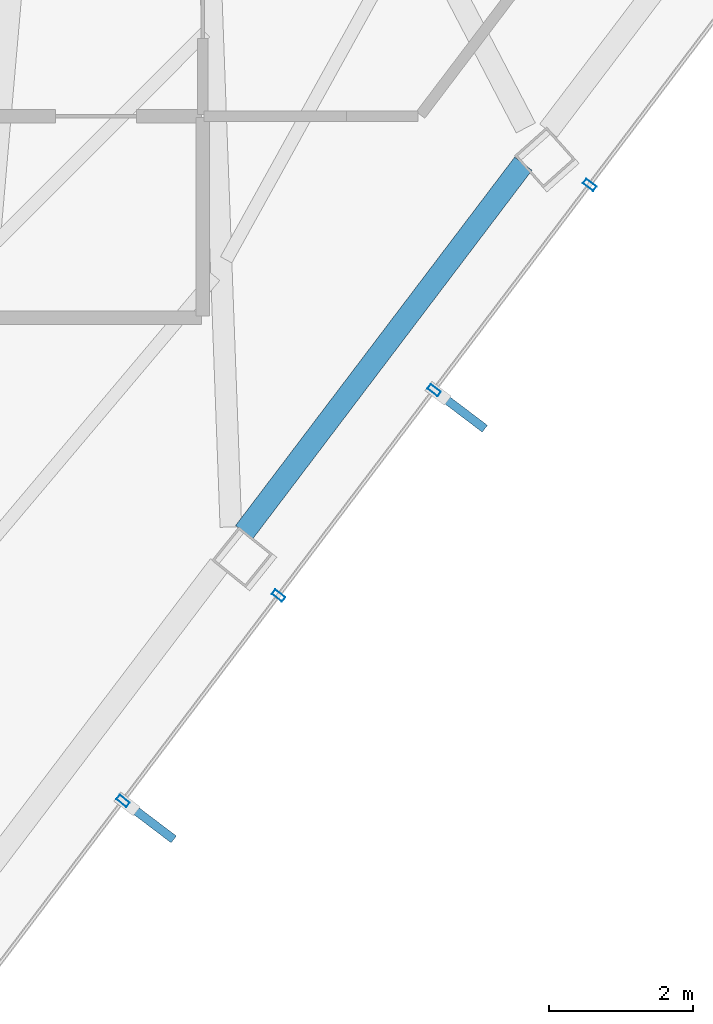
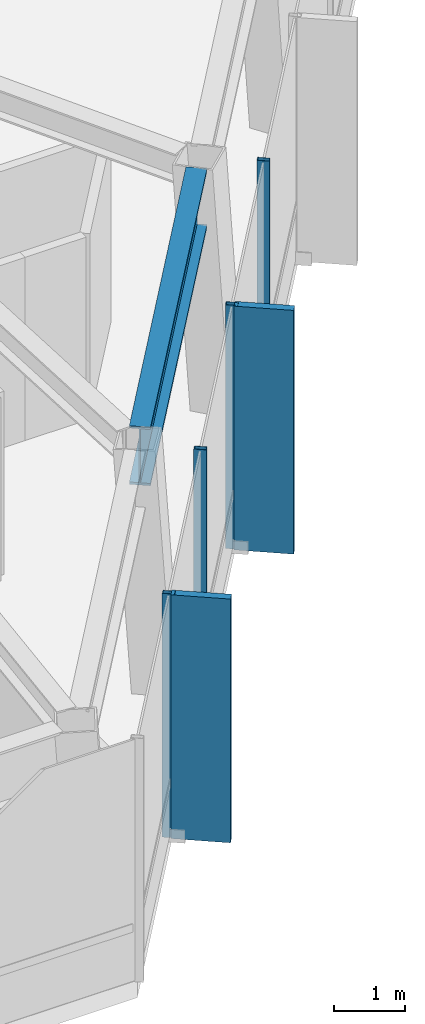
# One storey, part 12 of 22: 6 members, 1 beam, 1 element without a shape of its own.
"""IFC4 building model written with IfcOpenShell, lengths in metres."""

from ifc_helpers import new_model, si_unit, direction, frame, origin, origin_2d, place, context, subcontext, project, spatial, rectangle, hollow_rectangle, i_section, extrude, material, layer, layer_set, material_profile, profile_set, type_object, element, aggregate, save


model = new_model("IFC4")

# Units and contexts
model_context = context("Model", 3, precision=1e-05, world=origin(), true_north=direction((0.0, 1.0)))
body_context = subcontext(model_context, "Body", "Model", "MODEL_VIEW")
ifc_project = project(units=[si_unit("LENGTHUNIT", "METRE"), si_unit("AREAUNIT", "SQUARE_METRE"), si_unit("VOLUMEUNIT", "CUBIC_METRE"), si_unit("PLANEANGLEUNIT", "RADIAN"), si_unit("MASSUNIT", "GRAM", prefix="KILO")], contexts=[model_context])

# Site, building, storey
site_placement = place(None, origin())
site = spatial("IfcSite", under=ifc_project, at=site_placement, CompositionType="ELEMENT")
building_placement = place(site_placement, origin())
building = spatial("IfcBuilding", under=site, at=building_placement, Name="Zarrinselat Tower", CompositionType="ELEMENT")
storey_placement = place(building_placement, frame((0.0, 0.0, 204.340087890625)))
storey = spatial("IfcBuildingStorey", under=building, at=storey_placement, Name="L50", CompositionType="ELEMENT", Elevation=204.340087890625)

# Beam
ifc_material_1 = material(Name="Steel S460M", Category="steel")
ifc_material_profile_1 = material_profile(ifc_material_1, i_section(OverallWidth=0.302001953125, OverallDepth=1.008056640625, WebThickness=0.02099609375, FlangeThickness=0.0400390625, at=origin_2d()), Name="HEM 1000")
ifc_profile_set_1 = profile_set([ifc_material_profile_1], Name="Steel S460M")
beam_type = type_object("IfcBeamType", Name="BM-HEM1000", PredefinedType="BEAM", material=ifc_profile_set_1)
beam_placement = place(storey_placement, frame((48.926513671875, 24.369384765625, 3.69580078125), z_axis=(0.603860615044, 0.797089930684, 0.0), x_axis=(-0.797089930684, 0.603860615044, 0.0)))
element("IfcBeam", 1, at=beam_placement, inside=storey, type_object=beam_type, Name="L50 Perimeter Spandrel Girder SP12", PredefinedType="BEAM", context=body_context, shape_type="SweptSolid", body=[
    extrude(i_section(OverallWidth=0.302001953125, OverallDepth=1.008056640625, WebThickness=0.02099609375, FlangeThickness=0.0400390625, at=origin_2d()), origin(), (0.0, 0.0, 1.0), 6.423583984375),
])

# Curtain wall, members
ifc_material_2 = material(Name="Extruded Aluminium Alloy EN AW-6063 T6", Category="aluminium")
ifc_layer = layer(ifc_material_2, 0.195068359375)
ifc_layer_set = layer_set([ifc_layer], Name="Extruded Aluminium Alloy EN AW-6063 T6")
curtain_wall_type = type_object("IfcCurtainWallType", Name="CWS-GDN", PredefinedType="NOTDEFINED", material=ifc_layer_set)
curtain_wall_placement = place(storey_placement, origin())
curtain_wall = element("IfcCurtainWall", 2, at=curtain_wall_placement, inside=storey, type_object=curtain_wall_type, Name="L50 Unitised Curtain Wall CW-L50-E04", PredefinedType="NOTDEFINED")
ifc_material_3 = material(Name="Extruded Aluminium Alloy EN AW-6063 T6", Category="aluminium")
ifc_material_profile_2 = material_profile(ifc_material_3, hollow_rectangle(XDim=0.080078125, YDim=0.179931640625, WallThickness=0.0048828125, at=origin_2d()), Name="RHS 180x80x5")
ifc_profile_set_2 = profile_set([ifc_material_profile_2], Name="Extruded Aluminium Alloy EN AW-6063 T6")
member_type_1 = type_object("IfcMemberType", Name="MEM-CW-MUL", PredefinedType="MULLION", material=ifc_profile_set_2)
member_1_placement = place(storey_placement, frame((53.72705078125, 29.194091796875, 0.0), z_axis=(0.0, 0.0, 1.0), x_axis=(-0.603858158606, -0.79709179163, 0.0)))
member_1 = element("IfcMember", 3, at=member_1_placement, type_object=member_type_1, Name="CW-L50-E04 Mullion 4", PredefinedType="MULLION", context=body_context, shape_type="SweptSolid", body=[
    extrude(hollow_rectangle(XDim=0.080078125, YDim=0.179931640625, WallThickness=0.0048828125, at=origin_2d()), origin(), (0.0, 0.0, 1.0), 4.199951171875),
])
member_2_placement = place(storey_placement, frame((51.5654296875, 26.3408203125, 0.0), z_axis=(0.0, 0.0, 1.0), x_axis=(-0.603858158606, -0.79709179163, 0.0)))
member_2 = element("IfcMember", 4, at=member_2_placement, type_object=member_type_1, Name="CW-L50-E04 Mullion 5", PredefinedType="MULLION", context=body_context, shape_type="SweptSolid", body=[
    extrude(hollow_rectangle(XDim=0.080078125, YDim=0.179931640625, WallThickness=0.0048828125, at=origin_2d()), origin(), (0.0, 0.0, 1.0), 4.199951171875),
])
member_3_placement = place(storey_placement, frame((49.40380859375, 23.4873046875, 0.0), z_axis=(0.0, 0.0, 1.0), x_axis=(-0.603858158606, -0.79709179163, 0.0)))
member_3 = element("IfcMember", 5, at=member_3_placement, type_object=member_type_1, Name="CW-L50-E04 Mullion 6", PredefinedType="MULLION", context=body_context, shape_type="SweptSolid", body=[
    extrude(hollow_rectangle(XDim=0.080078125, YDim=0.179931640625, WallThickness=0.0048828125, at=origin_2d()), origin(), (0.0, 0.0, 1.0), 4.199951171875),
])
member_4_placement = place(storey_placement, frame((47.2421875, 20.634033203125, 0.0), z_axis=(0.0, 0.0, 1.0), x_axis=(-0.603858158606, -0.79709179163, 0.0)))
member_4 = element("IfcMember", 6, at=member_4_placement, type_object=member_type_1, Name="CW-L50-E04 Mullion 7", PredefinedType="MULLION", context=body_context, shape_type="SweptSolid", body=[
    extrude(hollow_rectangle(XDim=0.080078125, YDim=0.179931640625, WallThickness=0.0048828125, at=origin_2d()), origin(), (0.0, 0.0, 1.0), 4.199951171875),
])
ifc_material_4 = material(Name="Honed Cream Travertine Stone", Category="masonry")
ifc_material_profile_3 = material_profile(ifc_material_4, rectangle(XDim=0.1201171875, YDim=0.85009765625, at=origin_2d()), Name="FIN 850x120")
ifc_profile_set_3 = profile_set([ifc_material_profile_3], Name="Honed Cream Travertine Stone")
member_type_2 = type_object("IfcMemberType", Name="MEM-STONE-FIN", PredefinedType="USERDEFINED", material=ifc_profile_set_3)
member_5_placement = place(storey_placement, frame((51.93212890625, 26.06298828125, 0.0), z_axis=(0.0, 0.0, 1.0), x_axis=(-0.603858158606, -0.79709179163, 0.0)))
member_5 = element("IfcMember", 7, at=member_5_placement, type_object=member_type_2, Name="L50 Stone Shading Fin CW-L50-E04-05", ObjectType="FIN", PredefinedType="USERDEFINED", context=body_context, shape_type="SweptSolid", body=[
    extrude(rectangle(XDim=0.1201171875, YDim=0.85009765625, at=origin_2d()), origin(), (0.0, 0.0, 1.0), 4.199951171875),
])
member_6_placement = place(storey_placement, frame((47.60888671875, 20.356201171875, 0.0), z_axis=(0.0, 0.0, 1.0), x_axis=(-0.603858158606, -0.79709179163, 0.0)))
member_6 = element("IfcMember", 8, at=member_6_placement, type_object=member_type_2, Name="L50 Stone Shading Fin CW-L50-E04-07", ObjectType="FIN", PredefinedType="USERDEFINED", context=body_context, shape_type="SweptSolid", body=[
    extrude(rectangle(XDim=0.1201171875, YDim=0.85009765625, at=origin_2d()), origin(), (0.0, 0.0, 1.0), 4.199951171875),
])
aggregate(curtain_wall, [member_1, member_2, member_5, member_3, member_4, member_6])

save(model, "model.ifc")
